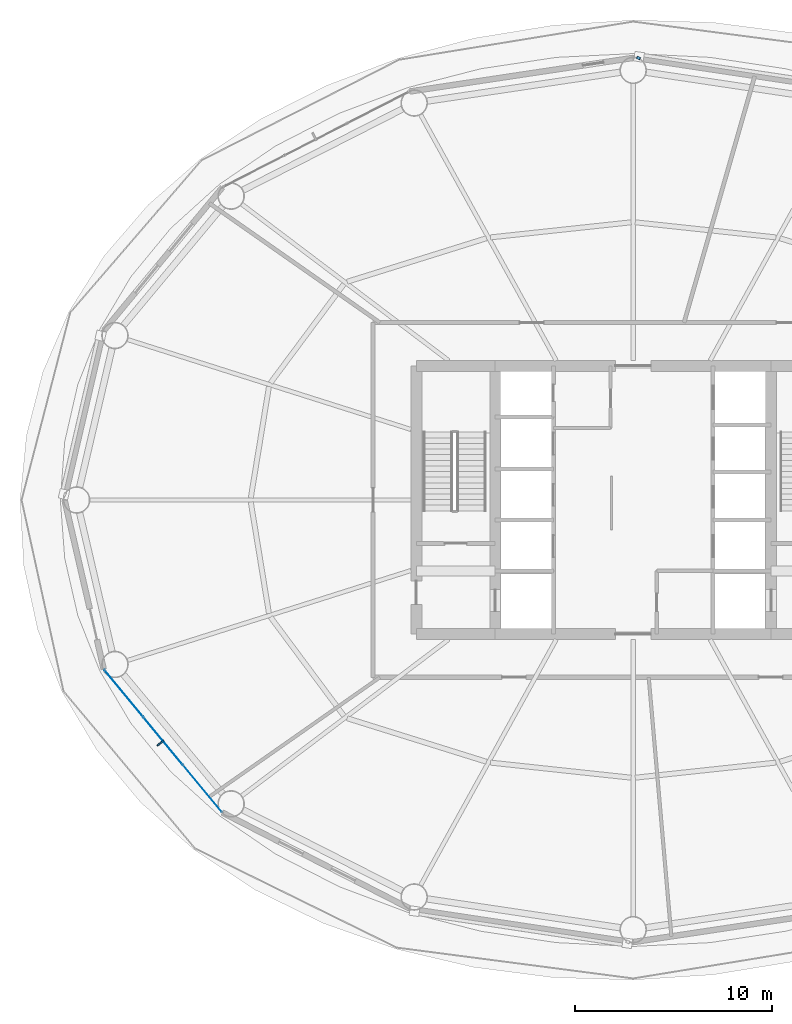
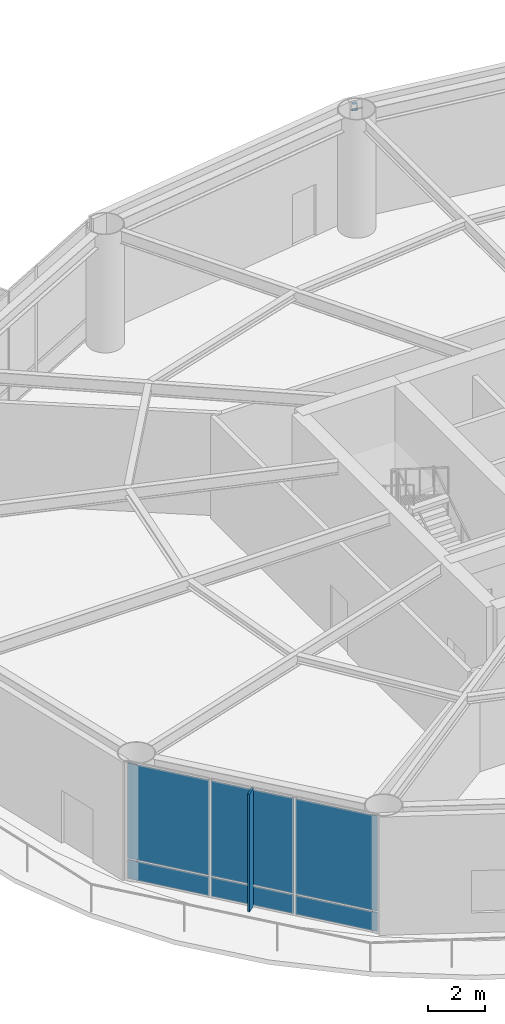
# One storey, part 17 of 25: 7 plates, 1 member, 1 element without a shape of its own.
"""IFC4 building model written with IfcOpenShell, lengths in metres."""

from ifc_helpers import new_model, si_unit, direction, frame, origin, origin_2d, place, context, subcontext, project, spatial, rectangle, hollow_rectangle, extrude, material, layer, layer_set, material_profile, profile_set, type_object, element, aggregate, save


model = new_model("IFC4")

# Units and contexts
model_context = context("Model", 3, precision=1e-05, world=origin(), true_north=direction((0.0, 1.0)))
body_context = subcontext(model_context, "Body", "Model", "MODEL_VIEW")
ifc_project = project(units=[si_unit("LENGTHUNIT", "METRE"), si_unit("AREAUNIT", "SQUARE_METRE"), si_unit("VOLUMEUNIT", "CUBIC_METRE"), si_unit("PLANEANGLEUNIT", "RADIAN"), si_unit("MASSUNIT", "GRAM", prefix="KILO")], contexts=[model_context])

# Site, building, storey
site_placement = place(None, origin())
site = spatial("IfcSite", under=ifc_project, at=site_placement, CompositionType="ELEMENT")
building_placement = place(site_placement, origin())
building = spatial("IfcBuilding", under=site, at=building_placement, Name="Sarneth Arch Tower", CompositionType="ELEMENT")
storey_placement = place(building_placement, frame((0.0, 0.0, 134.39990234375)))
storey = spatial("IfcBuildingStorey", under=building, at=storey_placement, Name="L34", CompositionType="ELEMENT", Elevation=134.39990234375)

# Member
ifc_material_1 = material(Name="Steel S355", Category="steel")
ifc_material_profile = material_profile(ifc_material_1, hollow_rectangle(XDim=0.199951171875, YDim=0.300048828125, WallThickness=0.012451171875, InnerFilletRadius=0.018798828125, OuterFilletRadius=0.03125, at=origin_2d()), Name="RHS300x200x12.5")
ifc_profile_set = profile_set([ifc_material_profile], Name="Steel S355")
member_type = type_object("IfcMemberType", Name="MEM-CANT-STRUT", PredefinedType="STRUT", material=ifc_profile_set)
member_placement = place(storey_placement, frame((48.2412109375, 64.357421875, 4.68359375), z_axis=(0.397509148639, 0.917598210955, 0.0), x_axis=(-0.917598210955, 0.397509148639, 0.0)))
element("IfcMember", 1, at=member_placement, inside=storey, type_object=member_type, Name="L34 Exoskeleton brace node strut 04B", PredefinedType="STRUT", context=body_context, shape_type="SweptSolid", body=[
    extrude(hollow_rectangle(XDim=0.199951171875, YDim=0.300048828125, WallThickness=0.012451171875, InnerFilletRadius=0.018798828125, OuterFilletRadius=0.03125, at=origin_2d()), origin(), (0.0, 0.0, 1.0), 0.139404296875),
])

# Curtain wall, plates
ifc_material_2 = material(Name="Anodised aluminium Type AA25 and solar-control low-e laminated IGU", Category="aluminium")
ifc_layer_1 = layer(ifc_material_2, 0.159912109375)
ifc_layer_set_1 = layer_set([ifc_layer_1], Name="Anodised aluminium Type AA25 and solar-control low-e laminated IGU")
curtain_wall_type = type_object("IfcCurtainWallType", Name="CW-HOTEL-MID", PredefinedType="NOTDEFINED", material=ifc_layer_set_1)
curtain_wall_placement = place(storey_placement, origin())
curtain_wall = element("IfcCurtainWall", 2, at=curtain_wall_placement, inside=storey, type_object=curtain_wall_type, Name="L34 Unitised curtain wall facet 10", PredefinedType="NOTDEFINED")
ifc_material_3 = material(Name="Solar-control low-e laminated IGU", Category="glass")
ifc_layer_2 = layer(ifc_material_3, 0.028076171875)
ifc_layer_set_2 = layer_set([ifc_layer_2], Name="Solar-control low-e laminated IGU")
plate_type_1 = type_object("IfcPlateType", Name="CW-PANEL", PredefinedType="CURTAIN_PANEL", material=ifc_layer_set_2)
plate_1_placement = place(storey_placement, frame((22.15185546875, 32.192138671875, 0.06005859375), z_axis=(0.0, 0.0, 1.0), x_axis=(0.637515188684, -0.770437787363, 0.0)))
plate_1 = element("IfcPlate", 3, at=plate_1_placement, type_object=plate_type_1, Name="Curtain wall glazed vision pane CW-L34-F10/P00-00", PredefinedType="CURTAIN_PANEL", context=body_context, shape_type="SweptSolid", body=[
    extrude(rectangle(XDim=3.058349609375, YDim=0.028076171875, at=origin_2d()), origin(), (0.0, 0.0, 1.0), 0.81005859375),
])
plate_2_placement = place(storey_placement, frame((22.15185546875, 32.192138671875, 0.93017578125), z_axis=(0.0, 0.0, 1.0), x_axis=(0.637515188684, -0.770437787363, 0.0)))
plate_2 = element("IfcPlate", 4, at=plate_2_placement, type_object=plate_type_1, Name="Curtain wall glazed vision pane CW-L34-F10/P00-01", PredefinedType="CURTAIN_PANEL", context=body_context, shape_type="SweptSolid", body=[
    extrude(rectangle(XDim=3.058349609375, YDim=0.028076171875, at=origin_2d()), origin(), (0.0, 0.0, 1.0), 4.06005859375),
])
plate_3_placement = place(storey_placement, frame((24.1494140625, 29.778076171875, 0.06005859375), z_axis=(0.0, 0.0, 1.0), x_axis=(0.637515188684, -0.770437787363, 0.0)))
plate_3 = element("IfcPlate", 5, at=plate_3_placement, type_object=plate_type_1, Name="Curtain wall glazed vision pane CW-L34-F10/P01-00", PredefinedType="CURTAIN_PANEL", context=body_context, shape_type="SweptSolid", body=[
    extrude(rectangle(XDim=3.08837890625, YDim=0.028076171875, at=origin_2d()), origin(), (0.0, 0.0, 1.0), 0.81005859375),
])
plate_4_placement = place(storey_placement, frame((24.1494140625, 29.778076171875, 0.93017578125), z_axis=(0.0, 0.0, 1.0), x_axis=(0.637515188684, -0.770437787363, 0.0)))
plate_4 = element("IfcPlate", 6, at=plate_4_placement, type_object=plate_type_1, Name="Curtain wall glazed vision pane CW-L34-F10/P01-01", PredefinedType="CURTAIN_PANEL", context=body_context, shape_type="SweptSolid", body=[
    extrude(rectangle(XDim=3.08837890625, YDim=0.028076171875, at=origin_2d()), origin(), (0.0, 0.0, 1.0), 4.06005859375),
])
plate_5_placement = place(storey_placement, frame((26.14697265625, 27.364013671875, 0.06005859375), z_axis=(0.0, 0.0, 1.0), x_axis=(0.637515188684, -0.770437787363, 0.0)))
plate_5 = element("IfcPlate", 7, at=plate_5_placement, type_object=plate_type_1, Name="Curtain wall glazed vision pane CW-L34-F10/P02-00", PredefinedType="CURTAIN_PANEL", context=body_context, shape_type="SweptSolid", body=[
    extrude(rectangle(XDim=3.058349609375, YDim=0.028076171875, at=origin_2d()), origin(), (0.0, 0.0, 1.0), 0.81005859375),
])
plate_6_placement = place(storey_placement, frame((26.14697265625, 27.364013671875, 0.93017578125), z_axis=(0.0, 0.0, 1.0), x_axis=(0.637515188684, -0.770437787363, 0.0)))
plate_6 = element("IfcPlate", 8, at=plate_6_placement, type_object=plate_type_1, Name="Curtain wall glazed vision pane CW-L34-F10/P02-01", PredefinedType="CURTAIN_PANEL", context=body_context, shape_type="SweptSolid", body=[
    extrude(rectangle(XDim=3.058349609375, YDim=0.028076171875, at=origin_2d()), origin(), (0.0, 0.0, 1.0), 4.06005859375),
])
aggregate(curtain_wall, [plate_1, plate_2, plate_3, plate_4, plate_5, plate_6])

# Plate
ifc_material_4 = material(Name="Extruded glazed terracotta baguette fin on Aluminium 6063-T6 carrier", Category="masonry")
ifc_layer_3 = layer(ifc_material_4, 0.080078125)
ifc_layer_set_3 = layer_set([ifc_layer_3], Name="Extruded glazed terracotta baguette fin on Aluminium 6063-T6 carrier")
plate_type_2 = type_object("IfcPlateType", Name="SHADE-TERRA-FIN", PredefinedType="SHEET", material=ifc_layer_set_3)
plate_7_placement = place(storey_placement, frame((24.018310546875, 29.669677734375, 0.01025390625), z_axis=(0.0, 0.0, 1.0), x_axis=(-0.770401979567, -0.63755845997, 0.0)))
element("IfcPlate", 9, at=plate_7_placement, inside=storey, type_object=plate_type_2, Name="L34 Terracotta vertical shading fin 10", PredefinedType="SHEET", context=body_context, shape_type="SweptSolid", body=[
    extrude(rectangle(XDim=0.419921875, YDim=0.080078125, at=origin_2d()), origin(), (0.0, 0.0, 1.0), 5.030029296875),
])

save(model, "model.ifc")
